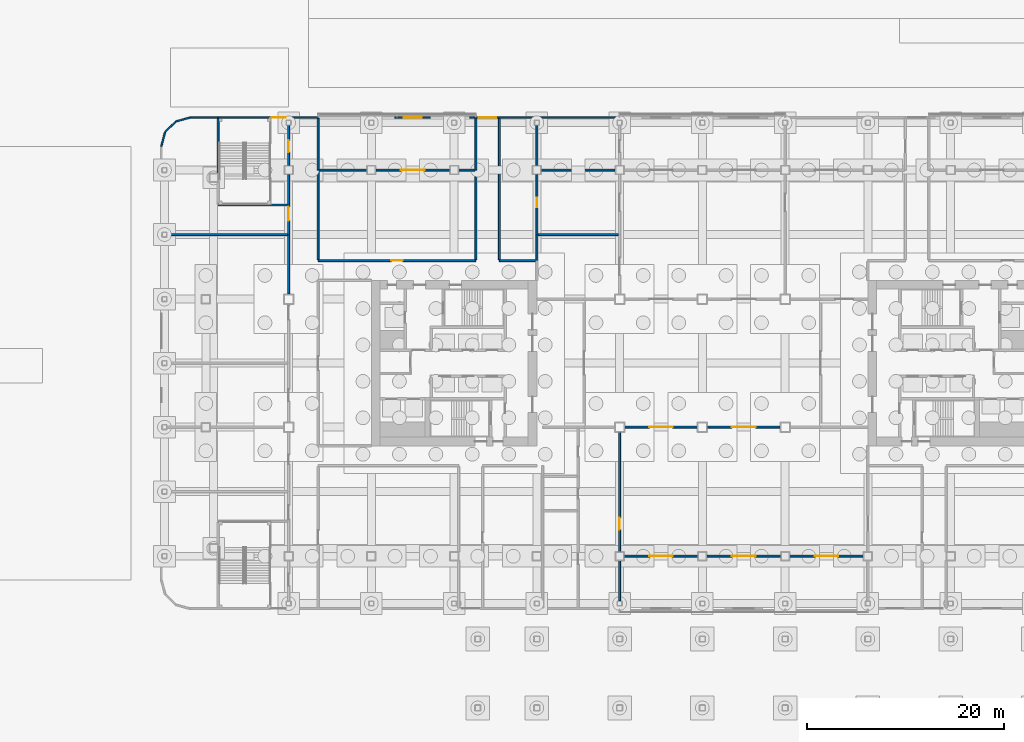
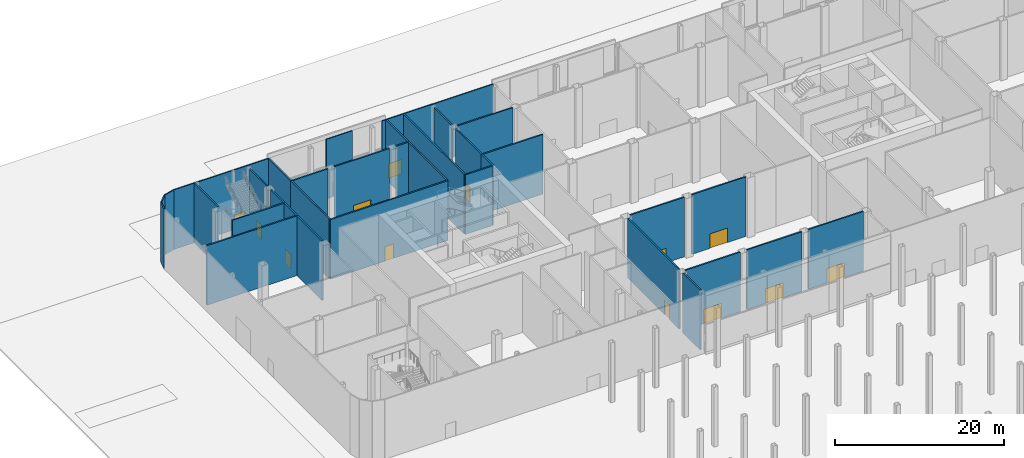
# One storey, part 39 of 113: 35 walls, 14 doors, 14 openings.
"""IFC4 building model written with IfcOpenShell, lengths in metres."""

from ifc_helpers import new_model, si_unit, direction, frame, frame_2d, origin, place, context, subcontext, project, spatial, rectangle, extrude, material, layer, layer_set, type_object, element, fill, save


model = new_model("IFC4")

# Units and contexts
model_context = context("Model", 3, precision=1e-05, world=origin(), true_north=direction((0.0, 1.0)))
body_context = subcontext(model_context, "Body", "Model", "MODEL_VIEW")
ifc_project = project(units=[si_unit("LENGTHUNIT", "METRE"), si_unit("AREAUNIT", "SQUARE_METRE"), si_unit("VOLUMEUNIT", "CUBIC_METRE"), si_unit("PLANEANGLEUNIT", "RADIAN"), si_unit("MASSUNIT", "GRAM", prefix="KILO")], contexts=[model_context])

# Site, building, storey
site_placement = place(None, origin())
site = spatial("IfcSite", under=ifc_project, at=site_placement, CompositionType="ELEMENT")
building_placement = place(site_placement, origin())
building = spatial("IfcBuilding", under=site, at=building_placement, Name="Hakoniwa Tower and Hamabe Station Hall", CompositionType="ELEMENT")
storey_placement = place(building_placement, origin())
storey = spatial("IfcBuildingStorey", under=building, at=storey_placement, Name="L01", CompositionType="ELEMENT", Elevation=0.0)

# Walls
ifc_material_1 = material(Name="Dark glass-faced aluminium panel", Category="aluminium")
ifc_layer_1 = layer(ifc_material_1, 0.14990234375)
ifc_layer_set_1 = layer_set([ifc_layer_1], Name="EXTERNAL WALL 150 EI 60")
wall_type_1 = type_object("IfcWallType", Name="EXTERNAL WALL 150 EI 60", PredefinedType="STANDARD", material=ifc_layer_set_1)
wall_1_placement = place(storey_placement, frame((-54.92236328125, 21.999755859375, 0.0), z_axis=(0.0, 0.0, 1.0), x_axis=(0.258741535379, 0.965946591624, 0.0)))
element("IfcWall", 1, at=wall_1_placement, inside=storey, type_object=wall_type_1, Name="External wall L01 9-1", PredefinedType="STANDARD", context=body_context, shape_type="SweptSolid", body=[
    extrude(rectangle(XDim=1.49267578125, YDim=0.14990234375, at=frame_2d((0.746337890625, 0.0))), origin(), (0.0, 0.0, 1.0), 8.60009765625),
])
wall_2_placement = place(storey_placement, frame((-54.5166015625, 23.475341796875, 0.0), z_axis=(0.0, 0.0, 1.0), x_axis=(0.707106781187, 0.707106781187, 0.0)))
element("IfcWall", 2, at=wall_2_placement, inside=storey, type_object=wall_type_1, Name="External wall L01 10-1", PredefinedType="STANDARD", context=body_context, shape_type="SweptSolid", body=[
    extrude(rectangle(XDim=1.47265625, YDim=0.14990234375, at=frame_2d((0.736328125, 0.0))), origin(), (0.0, 0.0, 1.0), 8.60009765625),
])
wall_3_placement = place(storey_placement, frame((-53.441650390625, 24.5361328125, 0.0), z_axis=(0.0, 0.0, 1.0), x_axis=(0.965946591624, 0.258741535379, 0.0)))
element("IfcWall", 3, at=wall_3_placement, inside=storey, type_object=wall_type_1, Name="External wall L01 11-1", PredefinedType="STANDARD", context=body_context, shape_type="SweptSolid", body=[
    extrude(rectangle(XDim=1.49267578125, YDim=0.14990234375, at=frame_2d((0.746337890625, 0.0))), origin(), (0.0, 0.0, 1.0), 8.60009765625),
])

# Wall, opening, door
wall_4_placement = place(storey_placement, frame((-51.980224609375, 24.925048828125, 0.0), z_axis=(0.0, 0.0, 1.0), x_axis=(1.0, 0.0, 0.0)))
wall_4 = element("IfcWall", 4, at=wall_4_placement, inside=storey, type_object=wall_type_1, Name="External wall L01 12-1", PredefinedType="STANDARD", context=body_context, shape_type="SweptSolid", body=[
    extrude(rectangle(XDim=12.980224609375, YDim=0.14990234375, at=frame_2d((6.490234375, 0.0))), origin(), (0.0, 0.0, 1.0), 8.60009765625),
])
opening_1_placement = place(wall_4_placement, frame((8.2802734375, 0.0, 0.0)))
opening_1 = element("IfcOpeningElement", 5, at=opening_1_placement, cuts=wall_4, Name="Opening ED-N-05", PredefinedType="OPENING", context=body_context, shape_type="SweptSolid", body=[
    extrude(rectangle(XDim=1.39990234375, YDim=2.10009765625, at=frame_2d((0.699951171875, 1.050048828125))), frame((0.0, 0.0849609375, 0.0), z_axis=(0.0, -1.0, 0.0), x_axis=(1.0, 0.0, 0.0)), (0.0, 0.0, 1.0), 0.169921875),
])
ifc_material_2 = material(Name="Timber door leaf", Category="wood")
door_type_1 = type_object("IfcDoorType", Name="DOUBLE DOOR 1400X2100", OperationType="DOUBLE_DOOR_SINGLE_SWING", PredefinedType="DOOR", material=ifc_material_2)
door_1_placement = place(opening_1_placement, origin())
door_1 = element("IfcDoor", 6, at=door_1_placement, inside=storey, type_object=door_type_1, Name="Entrance door", OperationType="DOUBLE_DOOR_SINGLE_SWING", OverallHeight=2.10009765625, OverallWidth=1.39990234375, PredefinedType="DOOR", context=body_context, shape_type="SweptSolid", body=[
    extrude(rectangle(XDim=1.39990234375, YDim=2.10009765625, at=frame_2d((0.699951171875, 1.050048828125))), frame((0.0, 0.02490234375, 0.0), z_axis=(0.0, -1.0, 0.0), x_axis=(1.0, 0.0, 0.0)), (0.0, 0.0, 1.0), 0.050048828125),
])
fill(opening_1, door_1)

wall_5_placement = place(storey_placement, frame((-31.199951171875, 24.925048828125, 0.0), z_axis=(0.0, 0.0, 1.0), x_axis=(1.0, 0.0, 0.0)))
wall_5 = element("IfcWall", 7, at=wall_5_placement, inside=storey, type_object=wall_type_1, Name="External wall L01 12-2", PredefinedType="STANDARD", context=body_context, shape_type="SweptSolid", body=[
    extrude(rectangle(XDim=3.599853515625, YDim=0.14990234375, at=frame_2d((1.7998046875, 0.0))), origin(), (0.0, 0.0, 1.0), 8.60009765625),
])
opening_2_placement = place(wall_5_placement, frame((0.89990234375, 0.0, 0.0)))
opening_2 = element("IfcOpeningElement", 8, at=opening_2_placement, cuts=wall_5, Name="Opening ED-N-03", PredefinedType="OPENING", context=body_context, shape_type="SweptSolid", body=[
    extrude(rectangle(XDim=1.800048828125, YDim=2.10009765625, at=frame_2d((0.89990234375, 1.050048828125))), frame((0.0, 0.0849609375, 0.0), z_axis=(0.0, -1.0, 0.0), x_axis=(1.0, 0.0, 0.0)), (0.0, 0.0, 1.0), 0.169921875),
])
ifc_material_3 = material(Name="Glazed aluminium door", Category="aluminium")
door_type_2 = type_object("IfcDoorType", Name="DOUBLE GLAZED DOOR 1800X2100", OperationType="DOUBLE_DOOR_DOUBLE_SWING", PredefinedType="DOOR", material=ifc_material_3)
door_2_placement = place(opening_2_placement, origin())
door_2 = element("IfcDoor", 9, at=door_2_placement, inside=storey, type_object=door_type_2, Name="Entrance door", OperationType="DOUBLE_DOOR_DOUBLE_SWING", OverallHeight=2.10009765625, OverallWidth=1.800048828125, PredefinedType="DOOR", context=body_context, shape_type="SweptSolid", body=[
    extrude(rectangle(XDim=1.800048828125, YDim=2.10009765625, at=frame_2d((0.89990234375, 1.050048828125))), frame((0.0, 0.02490234375, 0.0), z_axis=(0.0, -1.0, 0.0), x_axis=(1.0, 0.0, 0.0)), (0.0, 0.0, 1.0), 0.050048828125),
])
fill(opening_2, door_2)

wall_6_placement = place(storey_placement, frame((-23.60009765625, 24.925048828125, 0.0), z_axis=(0.0, 0.0, 1.0), x_axis=(1.0, 0.0, 0.0)))
wall_6 = element("IfcWall", 10, at=wall_6_placement, inside=storey, type_object=wall_type_1, Name="External wall L01 12-3", PredefinedType="STANDARD", context=body_context, shape_type="SweptSolid", body=[
    extrude(rectangle(XDim=15.2001953125, YDim=0.14990234375, at=frame_2d((7.60009765625, 0.0))), origin(), (0.0, 0.0, 1.0), 8.60009765625),
])
opening_3_placement = place(wall_6_placement, frame((0.89990234375, 0.0, 0.0)))
opening_3 = element("IfcOpeningElement", 11, at=opening_3_placement, cuts=wall_6, Name="Opening ED-N-07", PredefinedType="OPENING", context=body_context, shape_type="SweptSolid", body=[
    extrude(rectangle(XDim=1.800048828125, YDim=2.10009765625, at=frame_2d((0.89990234375, 1.050048828125))), frame((0.0, 0.0849609375, 0.0), z_axis=(0.0, -1.0, 0.0), x_axis=(1.0, 0.0, 0.0)), (0.0, 0.0, 1.0), 0.169921875),
])
ifc_material_4 = material(Name="Timber door leaf", Category="wood")
door_type_3 = type_object("IfcDoorType", Name="DOUBLE DOOR 1800X2100", OperationType="DOUBLE_DOOR_SINGLE_SWING", PredefinedType="DOOR", material=ifc_material_4)
door_3_placement = place(opening_3_placement, origin())
door_3 = element("IfcDoor", 12, at=door_3_placement, inside=storey, type_object=door_type_3, Name="Entrance door", OperationType="DOUBLE_DOOR_SINGLE_SWING", OverallHeight=2.10009765625, OverallWidth=1.800048828125, PredefinedType="DOOR", context=body_context, shape_type="SweptSolid", body=[
    extrude(rectangle(XDim=1.800048828125, YDim=2.10009765625, at=frame_2d((0.89990234375, 1.050048828125))), frame((0.0, 0.02490234375, 0.0), z_axis=(0.0, -1.0, 0.0), x_axis=(1.0, 0.0, 0.0)), (0.0, 0.0, 1.0), 0.050048828125),
])
fill(opening_3, door_3)

# Walls
ifc_material_5 = material(Name="Fire-rated gypsum board partition")
ifc_layer_2 = layer(ifc_material_5, 0.199951171875)
ifc_layer_set_2 = layer_set([ifc_layer_2], Name="FIRE PARTITION 200 EI 60")
wall_type_2 = type_object("IfcWallType", Name="FIRE PARTITION 200 EI 60", PredefinedType="PARTITIONING", material=ifc_layer_set_2)
wall_7_placement = place(storey_placement, frame((-16.800048828125, 20.050048828125, 0.0), z_axis=(0.0, 0.0, 1.0), x_axis=(0.0, 1.0, 0.0)))
element("IfcWall", 13, at=wall_7_placement, inside=storey, type_object=wall_type_2, Name="Wall Reception Back Office / Luggage Room", PredefinedType="PARTITIONING", context=body_context, shape_type="SweptSolid", body=[
    extrude(rectangle(XDim=4.099853515625, YDim=0.199951171875, at=frame_2d((2.0498046875, 0.0))), origin(), (0.0, 0.0, 1.0), 8.60009765625),
])
wall_8_placement = place(storey_placement, frame((-16.35009765625, 19.60009765625, 0.0), z_axis=(0.0, 0.0, 1.0), x_axis=(1.0, 0.0, 0.0)))
element("IfcWall", 14, at=wall_8_placement, inside=storey, type_object=wall_type_2, Name="Wall Concierge / Reception Back Office", PredefinedType="PARTITIONING", context=body_context, shape_type="SweptSolid", body=[
    extrude(rectangle(XDim=7.5, YDim=0.199951171875, at=frame_2d((3.75, 0.0))), origin(), (0.0, 0.0, 1.0), 8.60009765625),
])

# Wall, opening, door
wall_9_placement = place(storey_placement, frame((-16.800048828125, 13.050048828125, 0.0), z_axis=(0.0, 0.0, 1.0), x_axis=(0.0, 1.0, 0.0)))
wall_9 = element("IfcWall", 15, at=wall_9_placement, inside=storey, type_object=wall_type_2, Name="Wall Concierge / Luggage Room", PredefinedType="PARTITIONING", context=body_context, shape_type="SweptSolid", body=[
    extrude(rectangle(XDim=6.099853515625, YDim=0.199951171875, at=frame_2d((3.0498046875, 0.0))), origin(), (0.0, 0.0, 1.0), 8.60009765625),
])
opening_4_placement = place(wall_9_placement, frame((2.75, 0.0, 0.0)))
opening_4 = element("IfcOpeningElement", 16, at=opening_4_placement, cuts=wall_9, Name="Opening PD-L01-017", PredefinedType="OPENING", context=body_context, shape_type="SweptSolid", body=[
    extrude(rectangle(XDim=1.0, YDim=2.10009765625, at=frame_2d((0.5, 1.050048828125))), frame((0.0, 0.10986328125, 0.0), z_axis=(0.0, -1.0, 0.0), x_axis=(1.0, 0.0, 0.0)), (0.0, 0.0, 1.0), 0.219970703125),
])
ifc_material_6 = material(Name="Timber door leaf", Category="wood")
door_type_4 = type_object("IfcDoorType", Name="SINGLE DOOR 1000X2100", OperationType="SINGLE_SWING_LEFT", PredefinedType="DOOR", material=ifc_material_6)
door_4_placement = place(opening_4_placement, origin())
door_4 = element("IfcDoor", 17, at=door_4_placement, inside=storey, type_object=door_type_4, Name="Door PD-L01-017", OperationType="SINGLE_SWING_RIGHT", OverallHeight=2.10009765625, OverallWidth=1.0, PredefinedType="DOOR", context=body_context, shape_type="SweptSolid", body=[
    extrude(rectangle(XDim=1.0, YDim=2.10009765625, at=frame_2d((0.5, 1.050048828125))), frame((0.0, 0.02490234375, 0.0), z_axis=(0.0, -1.0, 0.0), x_axis=(1.0, 0.0, 0.0)), (0.0, 0.0, 1.0), 0.050048828125),
])
fill(opening_4, door_4)

# Walls
wall_10_placement = place(storey_placement, frame((-54.35009765625, 13.050048828125, 0.0), z_axis=(0.0, 0.0, 1.0), x_axis=(1.0, 0.0, 0.0)))
element("IfcWall", 18, at=wall_10_placement, inside=storey, type_object=wall_type_2, Name="Wall Loading and Service Dock / Main Kitchen", PredefinedType="PARTITIONING", context=body_context, shape_type="SweptSolid", body=[
    extrude(rectangle(XDim=12.25, YDim=0.199951171875, at=frame_2d((6.125, 0.0))), origin(), (0.0, 0.0, 1.0), 8.60009765625),
])
wall_11_placement = place(storey_placement, frame((-16.699951171875, 13.050048828125, 0.0), z_axis=(0.0, 0.0, 1.0), x_axis=(1.0, 0.0, 0.0)))
element("IfcWall", 19, at=wall_11_placement, inside=storey, type_object=wall_type_2, Name="Wall Hotel Reception / Concierge", PredefinedType="PARTITIONING", context=body_context, shape_type="SweptSolid", body=[
    extrude(rectangle(XDim=8.199951171875, YDim=0.199951171875, at=frame_2d((4.10009765625, 0.0))), origin(), (0.0, 0.0, 1.0), 8.60009765625),
])
wall_12_placement = place(storey_placement, frame((-16.800048828125, 10.39990234375, 0.0), z_axis=(0.0, 0.0, 1.0), x_axis=(0.0, 1.0, 0.0)))
element("IfcWall", 20, at=wall_12_placement, inside=storey, type_object=wall_type_2, Name="Wall Hotel Reception / Luggage Room", PredefinedType="PARTITIONING", context=body_context, shape_type="SweptSolid", body=[
    extrude(rectangle(XDim=2.650146484375, YDim=0.199951171875, at=frame_2d((1.3251953125, 0.0))), origin(), (0.0, 0.0, 1.0), 8.60009765625),
])
wall_13_placement = place(storey_placement, frame((-38.89990234375, 19.60009765625, 0.0), z_axis=(0.0, 0.0, 1.0), x_axis=(1.0, 0.0, 0.0)))
element("IfcWall", 21, at=wall_13_placement, inside=storey, type_object=wall_type_2, Name="Wall Kaede Restaurant / Kaede Entrance Gallery", PredefinedType="PARTITIONING", context=body_context, shape_type="SweptSolid", body=[
    extrude(rectangle(XDim=4.849853515625, YDim=0.199951171875, at=frame_2d((2.4248046875, 0.0))), origin(), (0.0, 0.0, 1.0), 8.60009765625),
])

# Wall, opening, door
wall_14_placement = place(storey_placement, frame((-33.14990234375, 19.60009765625, 0.0), z_axis=(0.0, 0.0, 1.0), x_axis=(1.0, 0.0, 0.0)))
wall_14 = element("IfcWall", 22, at=wall_14_placement, inside=storey, type_object=wall_type_2, Name="Wall Kaede Restaurant / Kaede Entrance Gallery", PredefinedType="PARTITIONING", context=body_context, shape_type="SweptSolid", body=[
    extrude(rectangle(XDim=7.5, YDim=0.199951171875, at=frame_2d((3.75, 0.0))), origin(), (0.0, 0.0, 1.0), 8.60009765625),
])
opening_5_placement = place(wall_14_placement, frame((2.550048828125, 0.0, 0.0)))
opening_5 = element("IfcOpeningElement", 23, at=opening_5_placement, cuts=wall_14, Name="Opening PD-L01-010", PredefinedType="OPENING", context=body_context, shape_type="SweptSolid", body=[
    extrude(rectangle(XDim=2.39990234375, YDim=2.10009765625, at=frame_2d((1.199951171875, 1.050048828125))), frame((0.0, 0.10986328125, 0.0), z_axis=(0.0, -1.0, 0.0), x_axis=(1.0, 0.0, 0.0)), (0.0, 0.0, 1.0), 0.219970703125),
])
ifc_material_7 = material(Name="Glazed aluminium door", Category="aluminium")
door_type_5 = type_object("IfcDoorType", Name="DOUBLE GLAZED DOOR 2400X2100", OperationType="DOUBLE_DOOR_DOUBLE_SWING", PredefinedType="DOOR", material=ifc_material_7)
door_5_placement = place(opening_5_placement, origin())
door_5 = element("IfcDoor", 24, at=door_5_placement, inside=storey, type_object=door_type_5, Name="Door PD-L01-010", OperationType="DOUBLE_DOOR_DOUBLE_SWING", OverallHeight=2.10009765625, OverallWidth=2.39990234375, PredefinedType="DOOR", context=body_context, shape_type="SweptSolid", body=[
    extrude(rectangle(XDim=2.39990234375, YDim=2.10009765625, at=frame_2d((1.199951171875, 1.050048828125))), frame((0.0, 0.02490234375, 0.0), z_axis=(0.0, -1.0, 0.0), x_axis=(1.0, 0.0, 0.0)), (0.0, 0.0, 1.0), 0.050048828125),
])
fill(opening_5, door_5)

# Wall
wall_15_placement = place(storey_placement, frame((-24.75, 19.60009765625, 0.0), z_axis=(0.0, 0.0, 1.0), x_axis=(1.0, 0.0, 0.0)))
element("IfcWall", 25, at=wall_15_placement, inside=storey, type_object=wall_type_2, Name="Wall Kaede Restaurant / Kaede Entrance Gallery", PredefinedType="PARTITIONING", context=body_context, shape_type="SweptSolid", body=[
    extrude(rectangle(XDim=1.64990234375, YDim=0.199951171875, at=frame_2d((0.824951171875, 0.0))), origin(), (0.0, 0.0, 1.0), 8.60009765625),
])

# Wall, opening, door
wall_16_placement = place(storey_placement, frame((-7.89990234375, -6.5, 0.0), z_axis=(0.0, 0.0, 1.0), x_axis=(1.0, 0.0, 0.0)))
wall_16 = element("IfcWall", 26, at=wall_16_placement, inside=storey, type_object=wall_type_2, Name="Wall Tea Lounge / Lobby Lounge", PredefinedType="PARTITIONING", context=body_context, shape_type="SweptSolid", body=[
    extrude(rectangle(XDim=7.39990234375, YDim=0.199951171875, at=frame_2d((3.699951171875, 0.0))), origin(), (0.0, 0.0, 1.0), 8.60009765625),
])
opening_6_placement = place(wall_16_placement, frame((2.5, 0.0, 0.0)))
opening_6 = element("IfcOpeningElement", 27, at=opening_6_placement, cuts=wall_16, Name="Opening PD-L01-020", PredefinedType="OPENING", context=body_context, shape_type="SweptSolid", body=[
    extrude(rectangle(XDim=2.39990234375, YDim=2.10009765625, at=frame_2d((1.199951171875, 1.050048828125))), frame((0.0, 0.10986328125, 0.0), z_axis=(0.0, -1.0, 0.0), x_axis=(1.0, 0.0, 0.0)), (0.0, 0.0, 1.0), 0.219970703125),
])
door_6_placement = place(opening_6_placement, origin())
door_6 = element("IfcDoor", 28, at=door_6_placement, inside=storey, type_object=door_type_5, Name="Door PD-L01-020", OperationType="DOUBLE_DOOR_DOUBLE_SWING", OverallHeight=2.10009765625, OverallWidth=2.39990234375, PredefinedType="DOOR", context=body_context, shape_type="SweptSolid", body=[
    extrude(rectangle(XDim=2.39990234375, YDim=2.10009765625, at=frame_2d((1.199951171875, 1.050048828125))), frame((0.0, 0.02490234375, 0.0), z_axis=(0.0, -1.0, 0.0), x_axis=(1.0, 0.0, 0.0)), (0.0, 0.0, 1.0), 0.050048828125),
])
fill(opening_6, door_6)

wall_17_placement = place(storey_placement, frame((0.5, -6.5, 0.0), z_axis=(0.0, 0.0, 1.0), x_axis=(1.0, 0.0, 0.0)))
wall_17 = element("IfcWall", 29, at=wall_17_placement, inside=storey, type_object=wall_type_2, Name="Wall Tea Lounge / Lobby Lounge", PredefinedType="PARTITIONING", context=body_context, shape_type="SweptSolid", body=[
    extrude(rectangle(XDim=7.39990234375, YDim=0.199951171875, at=frame_2d((3.699951171875, 0.0))), origin(), (0.0, 0.0, 1.0), 8.60009765625),
])
opening_7_placement = place(wall_17_placement, frame((2.5, 0.0, 0.0)))
opening_7 = element("IfcOpeningElement", 30, at=opening_7_placement, cuts=wall_17, Name="Opening PD-L01-021", PredefinedType="OPENING", context=body_context, shape_type="SweptSolid", body=[
    extrude(rectangle(XDim=2.39990234375, YDim=2.10009765625, at=frame_2d((1.199951171875, 1.050048828125))), frame((0.0, 0.10986328125, 0.0), z_axis=(0.0, -1.0, 0.0), x_axis=(1.0, 0.0, 0.0)), (0.0, 0.0, 1.0), 0.219970703125),
])
door_7_placement = place(opening_7_placement, origin())
door_7 = element("IfcDoor", 31, at=door_7_placement, inside=storey, type_object=door_type_5, Name="Door PD-L01-021", OperationType="DOUBLE_DOOR_DOUBLE_SWING", OverallHeight=2.10009765625, OverallWidth=2.39990234375, PredefinedType="DOOR", context=body_context, shape_type="SweptSolid", body=[
    extrude(rectangle(XDim=2.39990234375, YDim=2.10009765625, at=frame_2d((1.199951171875, 1.050048828125))), frame((0.0, 0.02490234375, 0.0), z_axis=(0.0, -1.0, 0.0), x_axis=(1.0, 0.0, 0.0)), (0.0, 0.0, 1.0), 0.050048828125),
])
fill(opening_7, door_7)

wall_18_placement = place(storey_placement, frame((16.35009765625, -19.60009765625, 0.0), z_axis=(0.0, 0.0, 1.0), x_axis=(-1.0, 0.0, 0.0)))
wall_18 = element("IfcWall", 32, at=wall_18_placement, inside=storey, type_object=wall_type_2, Name="Wall Tea Lounge / Tea Lounge Entrance Gallery", PredefinedType="PARTITIONING", context=body_context, shape_type="SweptSolid", body=[
    extrude(rectangle(XDim=7.5, YDim=0.199951171875, at=frame_2d((3.75, 0.0))), origin(), (0.0, 0.0, 1.0), 8.60009765625),
])
opening_8_placement = place(wall_18_placement, frame((2.550048828125, 0.0, 0.0)))
opening_8 = element("IfcOpeningElement", 33, at=opening_8_placement, cuts=wall_18, Name="Opening PD-L01-016", PredefinedType="OPENING", context=body_context, shape_type="SweptSolid", body=[
    extrude(rectangle(XDim=2.39990234375, YDim=2.10009765625, at=frame_2d((1.199951171875, 1.050048828125))), frame((0.0, 0.10986328125, 0.0), z_axis=(0.0, -1.0, 0.0), x_axis=(1.0, 0.0, 0.0)), (0.0, 0.0, 1.0), 0.219970703125),
])
door_8_placement = place(opening_8_placement, origin())
door_8 = element("IfcDoor", 34, at=door_8_placement, inside=storey, type_object=door_type_5, Name="Door PD-L01-016", OperationType="DOUBLE_DOOR_DOUBLE_SWING", OverallHeight=2.10009765625, OverallWidth=2.39990234375, PredefinedType="DOOR", context=body_context, shape_type="SweptSolid", body=[
    extrude(rectangle(XDim=2.39990234375, YDim=2.10009765625, at=frame_2d((1.199951171875, 1.050048828125))), frame((0.0, 0.02490234375, 0.0), z_axis=(0.0, -1.0, 0.0), x_axis=(1.0, 0.0, 0.0)), (0.0, 0.0, 1.0), 0.050048828125),
])
fill(opening_8, door_8)

wall_19_placement = place(storey_placement, frame((7.949951171875, -19.60009765625, 0.0), z_axis=(0.0, 0.0, 1.0), x_axis=(-1.0, 0.0, 0.0)))
wall_19 = element("IfcWall", 35, at=wall_19_placement, inside=storey, type_object=wall_type_2, Name="Wall Tea Lounge / Tea Lounge Entrance Gallery", PredefinedType="PARTITIONING", context=body_context, shape_type="SweptSolid", body=[
    extrude(rectangle(XDim=7.5, YDim=0.199951171875, at=frame_2d((3.75, 0.0))), origin(), (0.0, 0.0, 1.0), 8.60009765625),
])
opening_9_placement = place(wall_19_placement, frame((2.550048828125, 0.0, 0.0)))
opening_9 = element("IfcOpeningElement", 36, at=opening_9_placement, cuts=wall_19, Name="Opening PD-L01-015", PredefinedType="OPENING", context=body_context, shape_type="SweptSolid", body=[
    extrude(rectangle(XDim=2.39990234375, YDim=2.10009765625, at=frame_2d((1.199951171875, 1.050048828125))), frame((0.0, 0.10986328125, 0.0), z_axis=(0.0, -1.0, 0.0), x_axis=(1.0, 0.0, 0.0)), (0.0, 0.0, 1.0), 0.219970703125),
])
door_9_placement = place(opening_9_placement, origin())
door_9 = element("IfcDoor", 37, at=door_9_placement, inside=storey, type_object=door_type_5, Name="Door PD-L01-015", OperationType="DOUBLE_DOOR_DOUBLE_SWING", OverallHeight=2.10009765625, OverallWidth=2.39990234375, PredefinedType="DOOR", context=body_context, shape_type="SweptSolid", body=[
    extrude(rectangle(XDim=2.39990234375, YDim=2.10009765625, at=frame_2d((1.199951171875, 1.050048828125))), frame((0.0, 0.02490234375, 0.0), z_axis=(0.0, -1.0, 0.0), x_axis=(1.0, 0.0, 0.0)), (0.0, 0.0, 1.0), 0.050048828125),
])
fill(opening_9, door_9)

wall_20_placement = place(storey_placement, frame((-0.449951171875, -19.60009765625, 0.0), z_axis=(0.0, 0.0, 1.0), x_axis=(-1.0, 0.0, 0.0)))
wall_20 = element("IfcWall", 38, at=wall_20_placement, inside=storey, type_object=wall_type_2, Name="Wall Tea Lounge / Tea Lounge Entrance Gallery", PredefinedType="PARTITIONING", context=body_context, shape_type="SweptSolid", body=[
    extrude(rectangle(XDim=7.5, YDim=0.199951171875, at=frame_2d((3.75, 0.0))), origin(), (0.0, 0.0, 1.0), 8.60009765625),
])
opening_10_placement = place(wall_20_placement, frame((2.550048828125, 0.0, 0.0)))
opening_10 = element("IfcOpeningElement", 39, at=opening_10_placement, cuts=wall_20, Name="Opening PD-L01-014", PredefinedType="OPENING", context=body_context, shape_type="SweptSolid", body=[
    extrude(rectangle(XDim=2.39990234375, YDim=2.10009765625, at=frame_2d((1.199951171875, 1.050048828125))), frame((0.0, 0.10986328125, 0.0), z_axis=(0.0, -1.0, 0.0), x_axis=(1.0, 0.0, 0.0)), (0.0, 0.0, 1.0), 0.219970703125),
])
door_10_placement = place(opening_10_placement, origin())
door_10 = element("IfcDoor", 40, at=door_10_placement, inside=storey, type_object=door_type_5, Name="Door PD-L01-014", OperationType="DOUBLE_DOOR_DOUBLE_SWING", OverallHeight=2.10009765625, OverallWidth=2.39990234375, PredefinedType="DOOR", context=body_context, shape_type="SweptSolid", body=[
    extrude(rectangle(XDim=2.39990234375, YDim=2.10009765625, at=frame_2d((1.199951171875, 1.050048828125))), frame((0.0, 0.02490234375, 0.0), z_axis=(0.0, -1.0, 0.0), x_axis=(1.0, 0.0, 0.0)), (0.0, 0.0, 1.0), 0.050048828125),
])
fill(opening_10, door_10)

wall_21_placement = place(storey_placement, frame((-8.39990234375, -7.0, 0.0), z_axis=(0.0, 0.0, 1.0), x_axis=(0.0, -1.0, 0.0)))
wall_21 = element("IfcWall", 41, at=wall_21_placement, inside=storey, type_object=wall_type_2, Name="Wall WC Lobby / Tea Lounge", PredefinedType="PARTITIONING", context=body_context, shape_type="SweptSolid", body=[
    extrude(rectangle(XDim=12.14990234375, YDim=0.199951171875, at=frame_2d((6.074951171875, 0.0))), origin(), (0.0, 0.0, 1.0), 8.60009765625),
])
opening_11_placement = place(wall_21_placement, frame((8.699951171875, 0.0, 0.0)))
opening_11 = element("IfcOpeningElement", 42, at=opening_11_placement, cuts=wall_21, Name="Opening PD-L01-022", PredefinedType="OPENING", context=body_context, shape_type="SweptSolid", body=[
    extrude(rectangle(XDim=1.199951171875, YDim=2.10009765625, at=frame_2d((0.60009765625, 1.050048828125))), frame((0.0, 0.10986328125, 0.0), z_axis=(0.0, -1.0, 0.0), x_axis=(1.0, 0.0, 0.0)), (0.0, 0.0, 1.0), 0.219970703125),
])
ifc_material_8 = material(Name="Timber door leaf", Category="wood")
door_type_6 = type_object("IfcDoorType", Name="SINGLE DOOR 1200X2100", OperationType="SINGLE_SWING_LEFT", PredefinedType="DOOR", material=ifc_material_8)
door_11_placement = place(opening_11_placement, origin())
door_11 = element("IfcDoor", 43, at=door_11_placement, inside=storey, type_object=door_type_6, Name="Door PD-L01-022", OperationType="SINGLE_SWING_LEFT", OverallHeight=2.10009765625, OverallWidth=1.199951171875, PredefinedType="DOOR", context=body_context, shape_type="SweptSolid", body=[
    extrude(rectangle(XDim=1.199951171875, YDim=2.10009765625, at=frame_2d((0.60009765625, 1.050048828125))), frame((0.0, 0.02490234375, 0.0), z_axis=(0.0, -1.0, 0.0), x_axis=(1.0, 0.0, 0.0)), (0.0, 0.0, 1.0), 0.050048828125),
])
fill(opening_11, door_11)

# Walls
wall_22_placement = place(storey_placement, frame((-8.39990234375, -20.050048828125, 0.0), z_axis=(0.0, 0.0, 1.0), x_axis=(0.0, -1.0, 0.0)))
element("IfcWall", 44, at=wall_22_placement, inside=storey, type_object=wall_type_2, Name="Wall WC Lobby / Tea Lounge Entrance Gallery", PredefinedType="PARTITIONING", context=body_context, shape_type="SweptSolid", body=[
    extrude(rectangle(XDim=4.099853515625, YDim=0.199951171875, at=frame_2d((2.0498046875, 0.0))), origin(), (0.0, 0.0, 1.0), 8.60009765625),
])
wall_23_placement = place(storey_placement, frame((-42.0, 7.0, 0.0), z_axis=(0.0, 0.0, 1.0), x_axis=(0.0, 1.0, 0.0)))
element("IfcWall", 45, at=wall_23_placement, inside=storey, type_object=wall_type_2, Name="Wall West Service Corridor / Loading and Service Dock", PredefinedType="PARTITIONING", context=body_context, shape_type="SweptSolid", body=[
    extrude(rectangle(XDim=6.050048828125, YDim=0.199951171875, at=frame_2d((3.02490234375, 0.0))), origin(), (0.0, 0.0, 1.0), 8.60009765625),
])

# Wall, opening, door
wall_24_placement = place(storey_placement, frame((-42.0, 13.050048828125, 0.0), z_axis=(0.0, 0.0, 1.0), x_axis=(0.0, 1.0, 0.0)))
wall_24 = element("IfcWall", 46, at=wall_24_placement, inside=storey, type_object=wall_type_2, Name="Wall West Service Corridor / Main Kitchen", PredefinedType="PARTITIONING", context=body_context, shape_type="SweptSolid", body=[
    extrude(rectangle(XDim=3.0, YDim=0.199951171875, at=frame_2d((1.5, 0.0))), origin(), (0.0, 0.0, 1.0), 8.60009765625),
])
opening_12_placement = place(wall_24_placement, frame((1.39990234375, 0.0, 0.0)))
opening_12 = element("IfcOpeningElement", 47, at=opening_12_placement, cuts=wall_24, Name="Opening PD-L01-028", PredefinedType="OPENING", context=body_context, shape_type="SweptSolid", body=[
    extrude(rectangle(XDim=1.39990234375, YDim=2.10009765625, at=frame_2d((0.699951171875, 1.050048828125))), frame((0.0, 0.10986328125, 0.0), z_axis=(0.0, -1.0, 0.0), x_axis=(1.0, 0.0, 0.0)), (0.0, 0.0, 1.0), 0.219970703125),
])
ifc_material_9 = material(Name="Steel fire door", Category="steel")
door_type_7 = type_object("IfcDoorType", Name="FIRE DOOR 1400X2100 FD60", OperationType="SINGLE_SWING_LEFT", PredefinedType="DOOR", material=ifc_material_9)
door_12_placement = place(opening_12_placement, origin())
door_12 = element("IfcDoor", 48, at=door_12_placement, inside=storey, type_object=door_type_7, Name="Door PD-L01-028", OperationType="SINGLE_SWING_LEFT", OverallHeight=2.10009765625, OverallWidth=1.39990234375, PredefinedType="DOOR", context=body_context, shape_type="SweptSolid", body=[
    extrude(rectangle(XDim=1.39990234375, YDim=2.10009765625, at=frame_2d((0.699951171875, 1.050048828125))), frame((0.0, 0.02490234375, 0.0), z_axis=(0.0, -1.0, 0.0), x_axis=(1.0, 0.0, 0.0)), (0.0, 0.0, 1.0), 0.050048828125),
])
fill(opening_12, door_12)

# Walls
wall_25_placement = place(storey_placement, frame((-20.60009765625, 10.39990234375, 0.0), z_axis=(0.0, 0.0, 1.0), x_axis=(1.0, 0.0, 0.0)))
element("IfcWall", 49, at=wall_25_placement, inside=storey, type_object=wall_type_2, Name="Wall West Service Corridor / Luggage Room", PredefinedType="PARTITIONING", context=body_context, shape_type="SweptSolid", body=[
    extrude(rectangle(XDim=3.7001953125, YDim=0.199951171875, at=frame_2d((1.85009765625, 0.0))), origin(), (0.0, 0.0, 1.0), 8.60009765625),
])
wall_26_placement = place(storey_placement, frame((-20.60009765625, 24.85009765625, 0.0), z_axis=(0.0, 0.0, 1.0), x_axis=(0.0, -1.0, 0.0)))
element("IfcWall", 50, at=wall_26_placement, inside=storey, type_object=wall_type_2, Name="Wall West Service Corridor / Luggage Room", PredefinedType="PARTITIONING", context=body_context, shape_type="SweptSolid", body=[
    extrude(rectangle(XDim=14.35009765625, YDim=0.199951171875, at=frame_2d((7.175048828125, 0.0))), origin(), (0.0, 0.0, 1.0), 8.60009765625),
])

# Wall, opening, door
wall_27_placement = place(storey_placement, frame((-39.0, 10.39990234375, 0.0), z_axis=(0.0, 0.0, 1.0), x_axis=(1.0, 0.0, 0.0)))
wall_27 = element("IfcWall", 51, at=wall_27_placement, inside=storey, type_object=wall_type_2, Name="Wall West Service Corridor / Kaede Restaurant", PredefinedType="PARTITIONING", context=body_context, shape_type="SweptSolid", body=[
    extrude(rectangle(XDim=16.0, YDim=0.199951171875, at=frame_2d((8.0, 0.0))), origin(), (0.0, 0.0, 1.0), 8.60009765625),
])
opening_13_placement = place(wall_27_placement, frame((7.39990234375, 0.0, 0.0)))
opening_13 = element("IfcOpeningElement", 52, at=opening_13_placement, cuts=wall_27, Name="Opening PD-L01-027", PredefinedType="OPENING", context=body_context, shape_type="SweptSolid", body=[
    extrude(rectangle(XDim=1.199951171875, YDim=2.10009765625, at=frame_2d((0.60009765625, 1.050048828125))), frame((0.0, 0.10986328125, 0.0), z_axis=(0.0, -1.0, 0.0), x_axis=(1.0, 0.0, 0.0)), (0.0, 0.0, 1.0), 0.219970703125),
])
ifc_material_10 = material(Name="Steel fire door", Category="steel")
door_type_8 = type_object("IfcDoorType", Name="FIRE DOOR 1200X2100 FD60", OperationType="SINGLE_SWING_LEFT", PredefinedType="DOOR", material=ifc_material_10)
door_13_placement = place(opening_13_placement, origin())
door_13 = element("IfcDoor", 53, at=door_13_placement, inside=storey, type_object=door_type_8, Name="Door PD-L01-027", OperationType="SINGLE_SWING_LEFT", OverallHeight=2.10009765625, OverallWidth=1.199951171875, PredefinedType="DOOR", context=body_context, shape_type="SweptSolid", body=[
    extrude(rectangle(XDim=1.199951171875, YDim=2.10009765625, at=frame_2d((0.60009765625, 1.050048828125))), frame((0.0, 0.02490234375, 0.0), z_axis=(0.0, -1.0, 0.0), x_axis=(1.0, 0.0, 0.0)), (0.0, 0.0, 1.0), 0.050048828125),
])
fill(opening_13, door_13)

# Walls
for number, where, z_axis, x_axis, name in (
    (54, (-39.0, 19.60009765625, 0.0), (0.0, 0.0, 1.0), (0.0, -1.0, 0.0), "Wall West Service Corridor / Kaede Restaurant"),
    (55, (-23.0, 10.5, 0.0), (0.0, 0.0, 1.0), (0.0, 1.0, 0.0), "Wall West Service Corridor / Kaede Restaurant"),
):
    element("IfcWall", number, at=place(storey_placement, frame(where, z_axis=z_axis, x_axis=x_axis)), inside=storey, type_object=wall_type_2, Name=name, PredefinedType="PARTITIONING", context=body_context, shape_type="SweptSolid", body=[
        extrude(rectangle(XDim=9.10009765625, YDim=0.199951171875, at=frame_2d((4.550048828125, 0.0))), origin(), (0.0, 0.0, 1.0), 8.60009765625),
    ])
for number, where, z_axis, x_axis, name in (
    (56, (-39.0, 24.85009765625, 0.0), (0.0, 0.0, 1.0), (0.0, -1.0, 0.0), "Wall West Service Corridor / Kaede Entrance Gallery"),
    (57, (-23.0, 19.60009765625, 0.0), (0.0, 0.0, 1.0), (0.0, 1.0, 0.0), "Wall West Service Corridor / Kaede Entrance Gallery"),
):
    element("IfcWall", number, at=place(storey_placement, frame(where, z_axis=z_axis, x_axis=x_axis)), inside=storey, type_object=wall_type_2, Name=name, PredefinedType="PARTITIONING", context=body_context, shape_type="SweptSolid", body=[
        extrude(rectangle(XDim=5.25, YDim=0.199951171875, at=frame_2d((2.625, 0.0))), origin(), (0.0, 0.0, 1.0), 8.60009765625),
    ])
ifc_material_11 = material(Name="Concrete C40", Category="concrete")
ifc_layer_3 = layer(ifc_material_11, 0.199951171875)
ifc_layer_set_3 = layer_set([ifc_layer_3], Name="RC WALL 200 EI 60 C40")
wall_type_3 = type_object("IfcWallType", Name="RC WALL 200 EI 60 C40", PredefinedType="SHEAR", material=ifc_layer_set_3)
wall_28_placement = place(storey_placement, frame((-49.14990234375, 19.253173828125, 0.0), z_axis=(0.0, 0.0, 1.0), x_axis=(0.0, 1.0, 0.0)))
element("IfcWall", 58, at=wall_28_placement, inside=storey, type_object=wall_type_3, Name="Wall Escape Stair PS1 / Main Kitchen", PredefinedType="SHEAR", context=body_context, shape_type="SweptSolid", body=[
    extrude(rectangle(XDim=5.596923828125, YDim=0.199951171875, at=frame_2d((2.79833984375, 0.0))), origin(), (0.0, 0.0, 1.0), 8.60009765625),
])
wall_29_placement = place(storey_placement, frame((-42.10009765625, 16.050048828125, 0.0), z_axis=(0.0, 0.0, 1.0), x_axis=(-1.0, 0.0, 0.0)))
element("IfcWall", 59, at=wall_29_placement, inside=storey, type_object=wall_type_3, Name="Wall Escape Stair PS1 / Main Kitchen", PredefinedType="SHEAR", context=body_context, shape_type="SweptSolid", body=[
    extrude(rectangle(XDim=7.0498046875, YDim=0.199951171875, at=frame_2d((3.52490234375, 0.0))), origin(), (0.0, 0.0, 1.0), 8.60009765625),
])

# Wall, opening, door
wall_30_placement = place(storey_placement, frame((-42.0, 24.14990234375, 0.0), z_axis=(0.0, 0.0, 1.0), x_axis=(0.0, -1.0, 0.0)))
wall_30 = element("IfcWall", 60, at=wall_30_placement, inside=storey, type_object=wall_type_3, Name="Wall Escape Stair PS1 / West Service Corridor", PredefinedType="SHEAR", context=body_context, shape_type="SweptSolid", body=[
    extrude(rectangle(XDim=4.099853515625, YDim=0.199951171875, at=frame_2d((2.0498046875, 0.0))), origin(), (0.0, 0.0, 1.0), 8.60009765625),
])
opening_14_placement = place(wall_30_placement, frame((1.550048828125, 0.0, 0.0)))
opening_14 = element("IfcOpeningElement", 61, at=opening_14_placement, cuts=wall_30, Name="Opening PD-L01-036", PredefinedType="OPENING", context=body_context, shape_type="SweptSolid", body=[
    extrude(rectangle(XDim=1.199951171875, YDim=2.10009765625, at=frame_2d((0.60009765625, 1.050048828125))), frame((0.0, 0.10986328125, 0.0), z_axis=(0.0, -1.0, 0.0), x_axis=(1.0, 0.0, 0.0)), (0.0, 0.0, 1.0), 0.219970703125),
])
door_14_placement = place(opening_14_placement, origin())
door_14 = element("IfcDoor", 62, at=door_14_placement, inside=storey, type_object=door_type_8, Name="Escape stair door PS1", OperationType="SINGLE_SWING_RIGHT", OverallHeight=2.10009765625, OverallWidth=1.199951171875, PredefinedType="DOOR", context=body_context, shape_type="SweptSolid", body=[
    extrude(rectangle(XDim=1.199951171875, YDim=2.10009765625, at=frame_2d((0.60009765625, 1.050048828125))), frame((0.0, 0.02490234375, 0.0), z_axis=(0.0, -1.0, 0.0), x_axis=(1.0, 0.0, 0.0)), (0.0, 0.0, 1.0), 0.050048828125),
])
fill(opening_14, door_14)

# Wall
wall_31_placement = place(storey_placement, frame((-42.0, 19.14990234375, 0.0), z_axis=(0.0, 0.0, 1.0), x_axis=(0.0, -1.0, 0.0)))
element("IfcWall", 63, at=wall_31_placement, inside=storey, type_object=wall_type_3, Name="Wall Escape Stair PS1 / West Service Corridor", PredefinedType="SHEAR", context=body_context, shape_type="SweptSolid", body=[
    extrude(rectangle(XDim=3.099853515625, YDim=0.199951171875, at=frame_2d((1.5498046875, 0.0))), origin(), (0.0, 0.0, 1.0), 8.60009765625),
])

save(model, "model.ifc")
